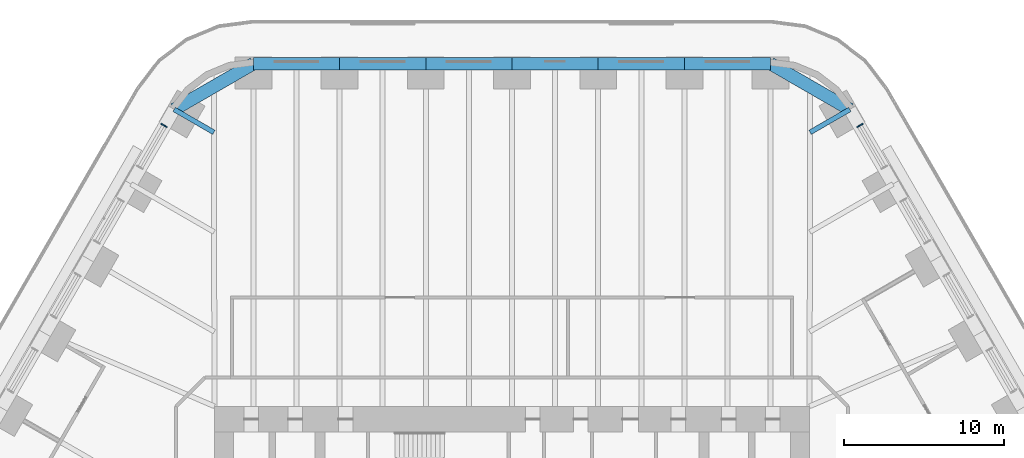
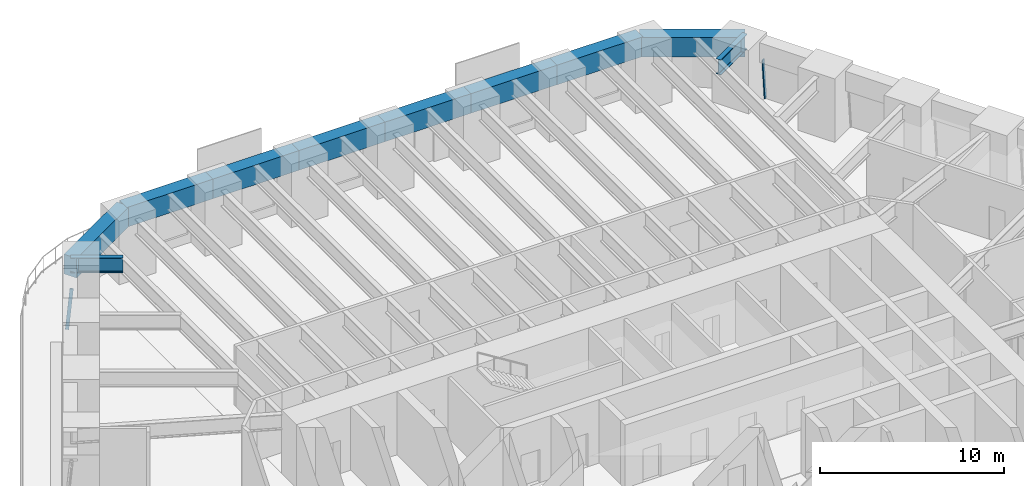
# One storey, part 14 of 23: 10 beams, 2 members, 2 elements without a shape of their own.
"""IFC4 building model written with IfcOpenShell, lengths in metres."""

from ifc_helpers import new_model, si_unit, direction, frame, origin, origin_2d, place, context, subcontext, project, spatial, rectangle, i_section, extrude, material, material_profile, profile_set, type_object, element, aggregate, save


model = new_model("IFC4")

# Units and contexts
model_context = context("Model", 3, precision=1e-05, world=origin(), true_north=direction((0.0, 1.0)))
body_context = subcontext(model_context, "Body", "Model", "MODEL_VIEW")
ifc_project = project(units=[si_unit("LENGTHUNIT", "METRE"), si_unit("AREAUNIT", "SQUARE_METRE"), si_unit("VOLUMEUNIT", "CUBIC_METRE"), si_unit("PLANEANGLEUNIT", "RADIAN"), si_unit("MASSUNIT", "GRAM", prefix="KILO")], contexts=[model_context])

# Site, building, storey
site_placement = place(None, origin())
site = spatial("IfcSite", under=ifc_project, at=site_placement, CompositionType="ELEMENT")
building_placement = place(site_placement, origin())
building = spatial("IfcBuilding", under=site, at=building_placement, Name="Tarfa Lantern Tower", CompositionType="ELEMENT")
storey_placement = place(building_placement, frame((0.0, 0.0, 40.300048828125)))
storey = spatial("IfcBuildingStorey", under=building, at=storey_placement, Name="L08", CompositionType="ELEMENT", Elevation=40.300048828125)

# Curtain wall, member
ifc_material_1 = material(Name="Aluminium framed curtain wall", Category="aluminium")
curtain_wall_type = type_object("IfcCurtainWallType", Name="CW1 CANTED GLAZING LOW ZONE 2700", PredefinedType="USERDEFINED", material=ifc_material_1)
curtain_wall_1_placement = place(storey_placement, origin())
curtain_wall_1 = element("IfcCurtainWall", 1, at=curtain_wall_1_placement, inside=storey, type_object=curtain_wall_type, Name="CW1 NE L08", ObjectType="CURTAIN WALL", PredefinedType="USERDEFINED")
ifc_material_2 = material(Name="Aluminium mullion", Category="aluminium")
ifc_material_profile_1 = material_profile(ifc_material_2, rectangle(XDim=0.06494140625, YDim=0.199951171875, at=origin_2d()), Name="AL MULLION 65x200")
ifc_profile_set_1 = profile_set([ifc_material_profile_1], Name="Aluminium mullion")
member_type = type_object("IfcMemberType", Name="CWM1 MULLION 65x200", PredefinedType="MULLION", material=ifc_profile_set_1)
member_1_placement = place(storey_placement, frame((21.86669921875, 29.926025390625, 0.0), z_axis=(-0.07986442134, -0.046099868913, 0.99573916077), x_axis=(0.499919672301, -0.866071776036, 0.0)))
member_1 = element("IfcMember", 2, at=member_1_placement, type_object=member_type, Name="CW1 mullion 2", PredefinedType="MULLION", context=body_context, shape_type="SweptSolid", body=[
    extrude(rectangle(XDim=0.06494140625, YDim=0.199951171875, at=origin_2d()), origin(), (0.0, 0.0, 1.0), 2.71142578125),
])
aggregate(curtain_wall_1, [member_1])

curtain_wall_2_placement = place(storey_placement, origin())
curtain_wall_2 = element("IfcCurtainWall", 3, at=curtain_wall_2_placement, inside=storey, type_object=curtain_wall_type, Name="CW1 NW L08", ObjectType="CURTAIN WALL", PredefinedType="USERDEFINED")
member_2_placement = place(storey_placement, frame((-21.86669921875, 29.926025390625, 0.0), z_axis=(0.07986442134, -0.046099868913, 0.99573916077), x_axis=(0.499919672301, 0.866071776036, 0.0)))
member_2 = element("IfcMember", 4, at=member_2_placement, type_object=member_type, Name="CW1 mullion 1", PredefinedType="MULLION", context=body_context, shape_type="SweptSolid", body=[
    extrude(rectangle(XDim=0.06494140625, YDim=0.199951171875, at=origin_2d()), origin(), (0.0, 0.0, 1.0), 2.71142578125),
])
aggregate(curtain_wall_2, [member_2])

# Beams
ifc_material_3 = material(Name="Concrete C80/95", Category="concrete")
ifc_material_profile_2 = material_profile(ifc_material_3, rectangle(XDim=0.800048828125, YDim=1.300048828125, at=origin_2d()), Name="RC 800x1300")
ifc_profile_set_2 = profile_set([ifc_material_profile_2], Name="Concrete C80/95")
beam_type_1 = type_object("IfcBeamType", Name="EB1 RC 800x1300", PredefinedType="SPANDREL", material=ifc_profile_set_2)
beam_1_placement = place(storey_placement, frame((21.119384765625, 30.860107421875, 3.349853515625), z_axis=(-0.866033479681, 0.499986011877, 0.0), x_axis=(-0.499986011877, -0.866033479681, 0.0)))
element("IfcBeam", 5, at=beam_1_placement, inside=storey, type_object=beam_type_1, Name="Edge beam NE6", PredefinedType="SPANDREL", context=body_context, shape_type="SweptSolid", body=[
    extrude(rectangle(XDim=0.800048828125, YDim=1.300048828125, at=origin_2d()), origin(), (0.0, 0.0, 1.0), 5.719970703125),
])
beam_2_placement = place(storey_placement, frame((16.165771484375, 33.719970703125, 3.349853515625), z_axis=(-1.0, 0.0, 0.0), x_axis=(0.0, -1.0, 0.0)))
element("IfcBeam", 6, at=beam_2_placement, inside=storey, type_object=beam_type_1, Name="Edge beam N0", PredefinedType="SPANDREL", context=body_context, shape_type="SweptSolid", body=[
    extrude(rectangle(XDim=0.800048828125, YDim=1.300048828125, at=origin_2d()), origin(), (0.0, 0.0, 1.0), 5.388671875),
])
beam_3_placement = place(storey_placement, frame((10.777099609375, 33.719970703125, 3.349853515625), z_axis=(-1.0, 0.0, 0.0), x_axis=(0.0, -1.0, 0.0)))
element("IfcBeam", 7, at=beam_3_placement, inside=storey, type_object=beam_type_1, Name="Edge beam N1", PredefinedType="SPANDREL", context=body_context, shape_type="SweptSolid", body=[
    extrude(rectangle(XDim=0.800048828125, YDim=1.300048828125, at=origin_2d()), origin(), (0.0, 0.0, 1.0), 5.388427734375),
])
for number, where, z_axis, x_axis, name in (
    (8, (5.388671875, 33.719970703125, 3.349853515625), (-1.0, 0.0, 0.0), (0.0, -1.0, 0.0), "Edge beam N2"),
    (9, (0.0, 33.719970703125, 3.349853515625), (-1.0, 0.0, 0.0), (0.0, -1.0, 0.0), "Edge beam N3"),
):
    element("IfcBeam", number, at=place(storey_placement, frame(where, z_axis=z_axis, x_axis=x_axis)), inside=storey, type_object=beam_type_1, Name=name, PredefinedType="SPANDREL", context=body_context, shape_type="SweptSolid", body=[
        extrude(rectangle(XDim=0.800048828125, YDim=1.300048828125, at=origin_2d()), origin(), (0.0, 0.0, 1.0), 5.388671875),
    ])
beam_4_placement = place(storey_placement, frame((-5.388671875, 33.719970703125, 3.349853515625), z_axis=(-1.0, 0.0, 0.0), x_axis=(0.0, -1.0, 0.0)))
element("IfcBeam", 10, at=beam_4_placement, inside=storey, type_object=beam_type_1, Name="Edge beam N4", PredefinedType="SPANDREL", context=body_context, shape_type="SweptSolid", body=[
    extrude(rectangle(XDim=0.800048828125, YDim=1.300048828125, at=origin_2d()), origin(), (0.0, 0.0, 1.0), 5.388427734375),
])
beam_5_placement = place(storey_placement, frame((-10.777099609375, 33.719970703125, 3.349853515625), z_axis=(-1.0, 0.0, 0.0), x_axis=(0.0, -1.0, 0.0)))
element("IfcBeam", 11, at=beam_5_placement, inside=storey, type_object=beam_type_1, Name="Edge beam N5", PredefinedType="SPANDREL", context=body_context, shape_type="SweptSolid", body=[
    extrude(rectangle(XDim=0.800048828125, YDim=1.300048828125, at=origin_2d()), origin(), (0.0, 0.0, 1.0), 5.388671875),
])
beam_6_placement = place(storey_placement, frame((-16.165771484375, 33.719970703125, 3.349853515625), z_axis=(-0.866033479681, -0.499986011877, 0.0), x_axis=(0.499986011877, -0.866033479681, 0.0)))
element("IfcBeam", 12, at=beam_6_placement, inside=storey, type_object=beam_type_1, Name="Edge beam N6", PredefinedType="SPANDREL", context=body_context, shape_type="SweptSolid", body=[
    extrude(rectangle(XDim=0.800048828125, YDim=1.300048828125, at=origin_2d()), origin(), (0.0, 0.0, 1.0), 5.719970703125),
])
ifc_material_4 = material(Name="Steel S460M", Category="steel")
ifc_material_profile_3 = material_profile(ifc_material_4, i_section(OverallWidth=0.302001953125, OverallDepth=1.008056640625, WebThickness=0.02099609375, FlangeThickness=0.0400390625, FilletRadius=0.030029296875, at=origin_2d()), Name="UB1016x305x349")
ifc_profile_set_3 = profile_set([ifc_material_profile_3], Name="Steel S460M")
beam_type_2 = type_object("IfcBeamType", Name="UB1016x305x349", PredefinedType="BEAM", material=ifc_profile_set_3)
for number, where, z_axis, x_axis, name in (
    (13, (21.119384765625, 30.860107421875, 3.495849609375), (-0.866012580594, -0.500022209759, 0.0), (0.500022209759, -0.866012580594, 0.0), "Floor beam NE6"),
    (14, (-21.119384765625, 30.860107421875, 3.495849609375), (0.866012580594, -0.500022209759, 0.0), (0.500022209759, 0.866012580594, 0.0), "Floor beam NW0"),
):
    element("IfcBeam", number, at=place(storey_placement, frame(where, z_axis=z_axis, x_axis=x_axis)), inside=storey, type_object=beam_type_2, Name=name, PredefinedType="BEAM", context=body_context, shape_type="SweptSolid", body=[
        extrude(i_section(OverallWidth=0.302001953125, OverallDepth=1.008056640625, WebThickness=0.02099609375, FlangeThickness=0.0400390625, FilletRadius=0.030029296875, at=origin_2d()), origin(), (0.0, 0.0, 1.0), 2.866943359375),
    ])

save(model, "model.ifc")
